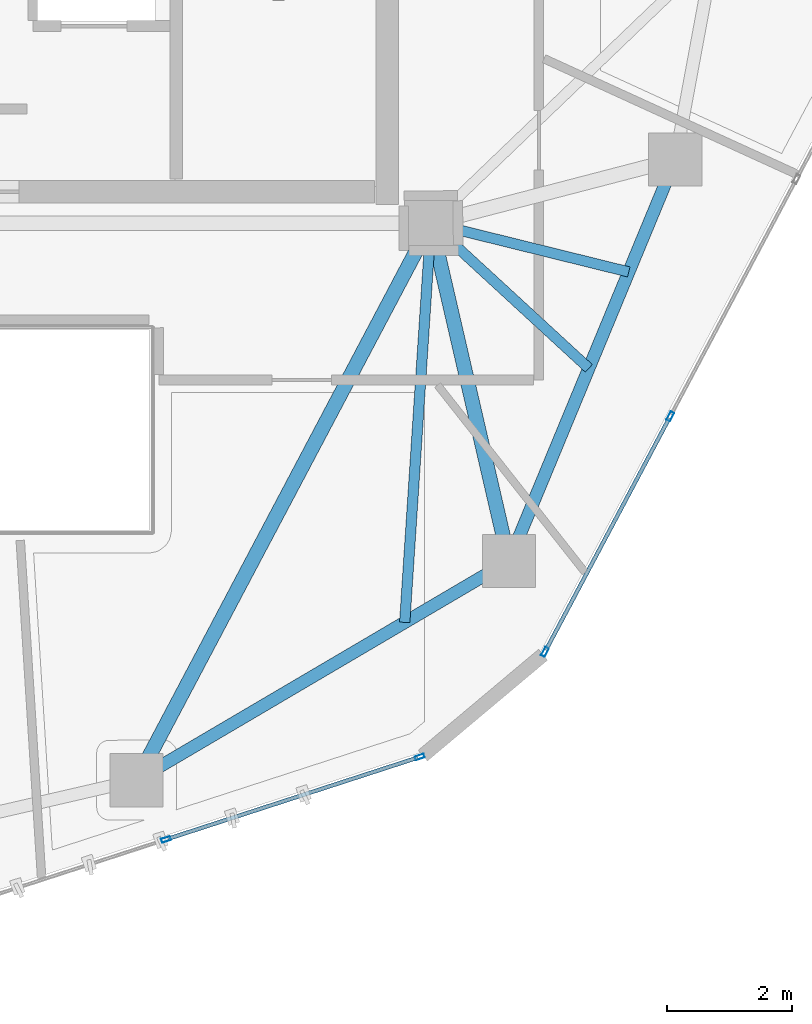
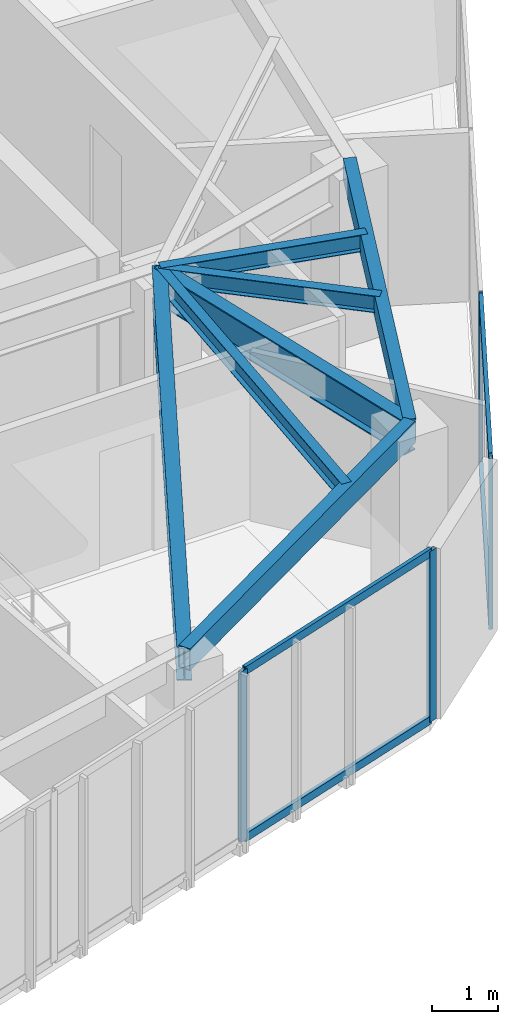
# One storey, part 6 of 19: 8 members, 7 beams, 2 elements without a shape of their own.
"""IFC4 building model written with IfcOpenShell, lengths in metres."""

from ifc_helpers import new_model, si_unit, direction, frame, origin, origin_2d, place, context, subcontext, project, spatial, hollow_rectangle, i_section, extrude, source, transform, mapped, material, layer, layer_set, material_profile, profile_set, type_object, type_shapes, element, aggregate, save


model = new_model("IFC4")

# Units and contexts
model_context = context("Model", 3, precision=1e-05, world=origin(), true_north=direction((0.0, 1.0)))
body_context = subcontext(model_context, "Body", "Model", "MODEL_VIEW")
ifc_project = project(units=[si_unit("LENGTHUNIT", "METRE"), si_unit("AREAUNIT", "SQUARE_METRE"), si_unit("VOLUMEUNIT", "CUBIC_METRE"), si_unit("PLANEANGLEUNIT", "RADIAN"), si_unit("MASSUNIT", "GRAM", prefix="KILO")], contexts=[model_context])

# Site, building, storey
site_placement = place(None, origin())
site = spatial("IfcSite", under=ifc_project, at=site_placement, CompositionType="ELEMENT")
building_placement = place(site_placement, origin())
building = spatial("IfcBuilding", under=site, at=building_placement, Name="Talar Marvaseh", CompositionType="ELEMENT")
storey_placement = place(building_placement, frame((0.0, 0.0, 288.39990234375)))
storey = spatial("IfcBuildingStorey", under=building, at=storey_placement, Name="L77", CompositionType="ELEMENT", Elevation=288.39990234375)

# Beams
ifc_material_1 = material(Name="Steel S355", Category="steel")
ifc_material_profile_1 = material_profile(ifc_material_1, hollow_rectangle(XDim=0.199951171875, YDim=0.39990234375, WallThickness=0.013916015625, at=origin_2d()), Name="RHS400x200x14")
ifc_profile_set_1 = profile_set([ifc_material_profile_1], Name="Steel S355")
beam_type_1 = type_object("IfcBeamType", Name="Zone 3 Perimeter Spandrel Beam RHS400x200x14", PredefinedType="SPANDREL", material=ifc_profile_set_1)
beam_1_placement = place(storey_placement, frame((37.197021484375, 26.513916015625, 2.940185546875), z_axis=(-0.382798740112, -0.923831762048, 0.0), x_axis=(0.923831762048, -0.382798740112, 0.0)))
element("IfcBeam", 1, at=beam_1_placement, inside=storey, type_object=beam_type_1, Name="L77 Zone 3 Perimeter Spandrel Beam RHS400x200x14", PredefinedType="SPANDREL", context=body_context, shape_type="SweptSolid", body=[
    extrude(hollow_rectangle(XDim=0.199951171875, YDim=0.39990234375, WallThickness=0.013916015625, at=origin_2d()), origin(), (0.0, 0.0, 1.0), 6.9306640625),
])
beam_2_placement = place(storey_placement, frame((34.5439453125, 20.111083984375, 2.940185546875), z_axis=(-0.861894136287, -0.507088254482, 0.0), x_axis=(0.507088254482, -0.861894136287, 0.0)))
element("IfcBeam", 2, at=beam_2_placement, inside=storey, type_object=beam_type_1, Name="L77 Zone 3 Perimeter Spandrel Beam RHS400x200x14", PredefinedType="SPANDREL", context=body_context, shape_type="SweptSolid", body=[
    extrude(hollow_rectangle(XDim=0.199951171875, YDim=0.39990234375, WallThickness=0.013916015625, at=origin_2d()), origin(), (0.0, 0.0, 1.0), 6.890625),
])
ifc_material_profile_2 = material_profile(ifc_material_1, i_section(OverallWidth=0.166015625, OverallDepth=0.31298828125, WebThickness=0.006591796875, FlangeThickness=0.01123046875, at=origin_2d()), Name="W310x45")
ifc_profile_set_2 = profile_set([ifc_material_profile_2], Name="Steel S355")
beam_type_2 = type_object("IfcBeamType", Name="Zone 3 Secondary Floor Joist W310x45", PredefinedType="JOIST", material=ifc_profile_set_2)
beam_3_placement = place(storey_placement, frame((36.4541015625, 24.72119140625, 2.983642578125), z_axis=(-0.970841284349, 0.239723174942, 0.0), x_axis=(-0.239723174942, -0.970841284349, 0.0)))
element("IfcBeam", 3, at=beam_3_placement, inside=storey, type_object=beam_type_2, Name="L77 Zone 3 Secondary Floor Joist W310x45", PredefinedType="JOIST", context=body_context, shape_type="SweptSolid", body=[
    extrude(i_section(OverallWidth=0.166015625, OverallDepth=0.31298828125, WebThickness=0.006591796875, FlangeThickness=0.01123046875, at=origin_2d()), origin(), (0.0, 0.0, 1.0), 3.248779296875),
])
beam_4_placement = place(storey_placement, frame((35.8173828125, 23.184326171875, 2.983642578125), z_axis=(-0.735970843201, 0.677013233223, 0.0), x_axis=(-0.677013233223, -0.735970843201, 0.0)))
element("IfcBeam", 4, at=beam_4_placement, inside=storey, type_object=beam_type_2, Name="L77 Zone 3 Secondary Floor Joist W310x45", PredefinedType="JOIST", context=body_context, shape_type="SweptSolid", body=[
    extrude(i_section(OverallWidth=0.166015625, OverallDepth=0.31298828125, WebThickness=0.006591796875, FlangeThickness=0.01123046875, at=origin_2d()), origin(), (0.0, 0.0, 1.0), 3.42041015625),
])
beam_5_placement = place(storey_placement, frame((32.881103515625, 19.1328125, 2.983642578125), z_axis=(0.065655577597, 0.997842344827, 0.0), x_axis=(-0.997842344827, 0.065655577597, 0.0)))
element("IfcBeam", 5, at=beam_5_placement, inside=storey, type_object=beam_type_2, Name="L77 Zone 3 Secondary Floor Joist W310x45", PredefinedType="JOIST", context=body_context, shape_type="SweptSolid", body=[
    extrude(i_section(OverallWidth=0.166015625, OverallDepth=0.31298828125, WebThickness=0.006591796875, FlangeThickness=0.01123046875, at=origin_2d()), origin(), (0.0, 0.0, 1.0), 6.380859375),
])
ifc_material_profile_3 = material_profile(ifc_material_1, i_section(OverallWidth=0.22998046875, OverallDepth=0.616943359375, WebThickness=0.01318359375, FlangeThickness=0.022216796875, at=origin_2d()), Name="W610x140")
ifc_profile_set_3 = profile_set([ifc_material_profile_3], Name="Steel S355")
beam_type_3 = type_object("IfcBeamType", Name="Zone 4 Radial Floor Girder W610x140", PredefinedType="BEAM", material=ifc_profile_set_3)
beam_6_placement = place(storey_placement, frame((34.5439453125, 20.111083984375, 2.83154296875), z_axis=(-0.22491108979, 0.974379290466, 0.0), x_axis=(-0.974379290466, -0.22491108979, 0.0)))
element("IfcBeam", 6, at=beam_6_placement, inside=storey, type_object=beam_type_3, Name="L77 Zone 4 Radial Floor Girder W610x140", PredefinedType="BEAM", context=body_context, shape_type="SweptSolid", body=[
    extrude(i_section(OverallWidth=0.22998046875, OverallDepth=0.616943359375, WebThickness=0.01318359375, FlangeThickness=0.022216796875, at=origin_2d()), origin(), (0.0, 0.0, 1.0), 5.530517578125),
])
beam_7_placement = place(storey_placement, frame((28.60498046875, 16.616943359375, 2.83154296875), z_axis=(0.467286976471, 0.884105695955, 0.0), x_axis=(-0.884105695955, 0.467286976471, 0.0)))
element("IfcBeam", 7, at=beam_7_placement, inside=storey, type_object=beam_type_3, Name="L77 Zone 4 Radial Floor Girder W610x140", PredefinedType="BEAM", context=body_context, shape_type="SweptSolid", body=[
    extrude(i_section(OverallWidth=0.22998046875, OverallDepth=0.616943359375, WebThickness=0.01318359375, FlangeThickness=0.022216796875, at=origin_2d()), origin(), (0.0, 0.0, 1.0), 10.047607421875),
])

# Curtain wall, members
ifc_material_2 = material(Name="Architectural Aluminium", Category="aluminium")
ifc_layer = layer(ifc_material_2, 0.179931640625)
ifc_layer_set = layer_set([ifc_layer], Name="Architectural Aluminium")
curtain_wall_type = type_object("IfcCurtainWallType", Name="Unitised High-Wind Sky Curtain Wall Z4", PredefinedType="NOTDEFINED", material=ifc_layer_set)
curtain_wall_1_placement = place(storey_placement, origin())
curtain_wall_1 = element("IfcCurtainWall", 8, at=curtain_wall_1_placement, inside=storey, type_object=curtain_wall_type, Name="L77 Unitised High-Wind Sky Curtain Wall Z4", PredefinedType="NOTDEFINED")
ifc_material_profile_4 = material_profile(ifc_material_2, hollow_rectangle(XDim=0.06494140625, YDim=0.14990234375, WallThickness=0.00390625, at=origin_2d()), Name="RHS150x65x4")
ifc_profile_set_4 = profile_set([ifc_material_profile_4], Name="Architectural Aluminium")
member_type_1 = type_object("IfcMemberType", Name="Unitised Curtain Wall Slim Transom RHS150x65x4", PredefinedType="USERDEFINED", material=ifc_profile_set_4)
shared_shape_1 = source(origin(), body_context, "Body", "SweptSolid", [
    extrude(hollow_rectangle(XDim=0.06494140625, YDim=0.14990234375, WallThickness=0.00390625, at=origin_2d()), origin(), (0.0, 0.0, 1.0), 4.188720703125),
])
member_1_placement = place(storey_placement, frame((37.099853515625, 22.389404296875, 0.03271484375), z_axis=(-0.469592674293, -0.882883186073, 0.0), x_axis=(0.882883186073, -0.469592674293, 0.0)))
member_1 = element("IfcMember", 9, at=member_1_placement, type_object=member_type_1, Name="CW-Z4 transom 4.1", ObjectType="TRANSOM", PredefinedType="USERDEFINED", context=body_context, shape_type="MappedRepresentation", body=[
    mapped(shared_shape_1, transform((0.0, 0.0, 0.0), x_axis=(1.0, 0.0, 0.0), y_axis=(0.0, 1.0, 0.0), z_axis=(0.0, 0.0, 1.0), scale=1.0)),
])
member_2_placement = place(storey_placement, frame((37.099853515625, 22.389404296875, 3.107666015625), z_axis=(-0.469592674293, -0.882883186073, 0.0), x_axis=(0.882883186073, -0.469592674293, 0.0)))
member_2 = element("IfcMember", 10, at=member_2_placement, type_object=member_type_1, Name="CW-Z4 transom 4.2", ObjectType="TRANSOM", PredefinedType="USERDEFINED", context=body_context, shape_type="MappedRepresentation", body=[
    mapped(shared_shape_1, transform((0.0, 0.0, 0.0), x_axis=(1.0, 0.0, 0.0), y_axis=(0.0, 1.0, 0.0), z_axis=(0.0, 0.0, 1.0), scale=1.0)),
])
ifc_material_profile_5 = material_profile(ifc_material_2, hollow_rectangle(XDim=0.06494140625, YDim=0.14990234375, WallThickness=0.00390625, at=origin_2d()), Name="RHS150x65x4")
ifc_profile_set_5 = profile_set([ifc_material_profile_5], Name="Architectural Aluminium")
member_type_2 = type_object("IfcMemberType", Name="Unitised Curtain Wall Slim Mullion RHS150x65x4", PredefinedType="MULLION", material=ifc_profile_set_5)
shared_shape_2 = source(origin(), body_context, "Body", "SweptSolid", [
    extrude(hollow_rectangle(XDim=0.06494140625, YDim=0.14990234375, WallThickness=0.00390625, at=origin_2d()), origin(), (0.0, 0.0, 1.0), 3.14013671875),
])
type_shapes(member_type_2, [shared_shape_2])
member_3_placement = place(storey_placement, frame((37.115234375, 22.41796875, 0.0), z_axis=(0.0, 0.0, 1.0), x_axis=(0.882877122718, -0.469604073854, 0.0)))
member_3 = element("IfcMember", 11, at=member_3_placement, type_object=member_type_2, Name="CW-Z4 mullion 4", PredefinedType="MULLION", context=body_context, shape_type="MappedRepresentation", body=[
    mapped(shared_shape_2, transform((0.0, 0.0, 0.0), x_axis=(1.0, 0.0, 0.0), y_axis=(0.0, 1.0, 0.0), z_axis=(0.0, 0.0, 1.0), scale=1.0)),
])
member_4_placement = place(storey_placement, frame((35.11767578125, 18.66259765625, 0.0), z_axis=(0.0, 0.0, 1.0), x_axis=(0.882877122718, -0.469604073854, 0.0)))
member_4 = element("IfcMember", 12, at=member_4_placement, type_object=member_type_2, Name="CW-Z4 mullion 5", PredefinedType="MULLION", context=body_context, shape_type="MappedRepresentation", body=[
    mapped(shared_shape_2, transform((0.0, 0.0, 0.0), x_axis=(1.0, 0.0, 0.0), y_axis=(0.0, 1.0, 0.0), z_axis=(0.0, 0.0, 1.0), scale=1.0)),
])
aggregate(curtain_wall_1, [member_3, member_4, member_1, member_2])

curtain_wall_2_placement = place(storey_placement, origin())
curtain_wall_2 = element("IfcCurtainWall", 13, at=curtain_wall_2_placement, inside=storey, type_object=curtain_wall_type, Name="L77 Unitised High-Wind Sky Curtain Wall Z4", PredefinedType="NOTDEFINED")
member_5_placement = place(storey_placement, frame((33.119873046875, 16.986328125, 0.0), z_axis=(0.0, 0.0, 1.0), x_axis=(0.309162168659, -0.95100933406, 0.0)))
member_5 = element("IfcMember", 14, at=member_5_placement, type_object=member_type_2, Name="CW-Z4 mullion 1", PredefinedType="MULLION", context=body_context, shape_type="MappedRepresentation", body=[
    mapped(shared_shape_2, transform((0.0, 0.0, 0.0), x_axis=(1.0, 0.0, 0.0), y_axis=(0.0, 1.0, 0.0), z_axis=(0.0, 0.0, 1.0), scale=1.0)),
])
member_6_placement = place(storey_placement, frame((29.074462890625, 15.671142578125, 0.0), z_axis=(0.0, 0.0, 1.0), x_axis=(0.309162168659, -0.95100933406, 0.0)))
member_6 = element("IfcMember", 15, at=member_6_placement, type_object=member_type_2, Name="CW-Z4 mullion 2", PredefinedType="MULLION", context=body_context, shape_type="MappedRepresentation", body=[
    mapped(shared_shape_2, transform((0.0, 0.0, 0.0), x_axis=(1.0, 0.0, 0.0), y_axis=(0.0, 1.0, 0.0), z_axis=(0.0, 0.0, 1.0), scale=1.0)),
])
shared_shape_3 = source(origin(), body_context, "Body", "SweptSolid", [
    extrude(hollow_rectangle(XDim=0.06494140625, YDim=0.14990234375, WallThickness=0.00390625, at=origin_2d()), origin(), (0.0, 0.0, 1.0), 4.1884765625),
])
type_shapes(member_type_1, [shared_shape_1, shared_shape_3])
member_7_placement = place(storey_placement, frame((33.0888671875, 16.976318359375, 0.03271484375), z_axis=(-0.951011792628, -0.309154605792, 0.0), x_axis=(0.309154605792, -0.951011792628, 0.0)))
member_7 = element("IfcMember", 16, at=member_7_placement, type_object=member_type_1, Name="CW-Z4 transom 1.1", ObjectType="TRANSOM", PredefinedType="USERDEFINED", context=body_context, shape_type="MappedRepresentation", body=[
    mapped(shared_shape_3, transform((0.0, 0.0, 0.0), x_axis=(1.0, 0.0, 0.0), y_axis=(0.0, 1.0, 0.0), z_axis=(0.0, 0.0, 1.0), scale=1.0)),
])
member_8_placement = place(storey_placement, frame((33.0888671875, 16.976318359375, 3.107666015625), z_axis=(-0.951011792628, -0.309154605792, 0.0), x_axis=(0.309154605792, -0.951011792628, 0.0)))
member_8 = element("IfcMember", 17, at=member_8_placement, type_object=member_type_1, Name="CW-Z4 transom 1.2", ObjectType="TRANSOM", PredefinedType="USERDEFINED", context=body_context, shape_type="MappedRepresentation", body=[
    mapped(shared_shape_3, transform((0.0, 0.0, 0.0), x_axis=(1.0, 0.0, 0.0), y_axis=(0.0, 1.0, 0.0), z_axis=(0.0, 0.0, 1.0), scale=1.0)),
])
aggregate(curtain_wall_2, [member_5, member_6, member_7, member_8])

save(model, "model.ifc")
